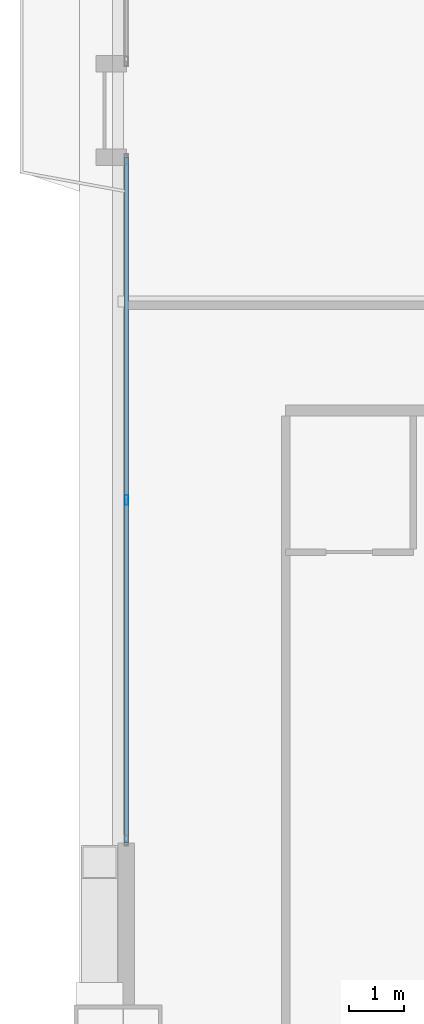
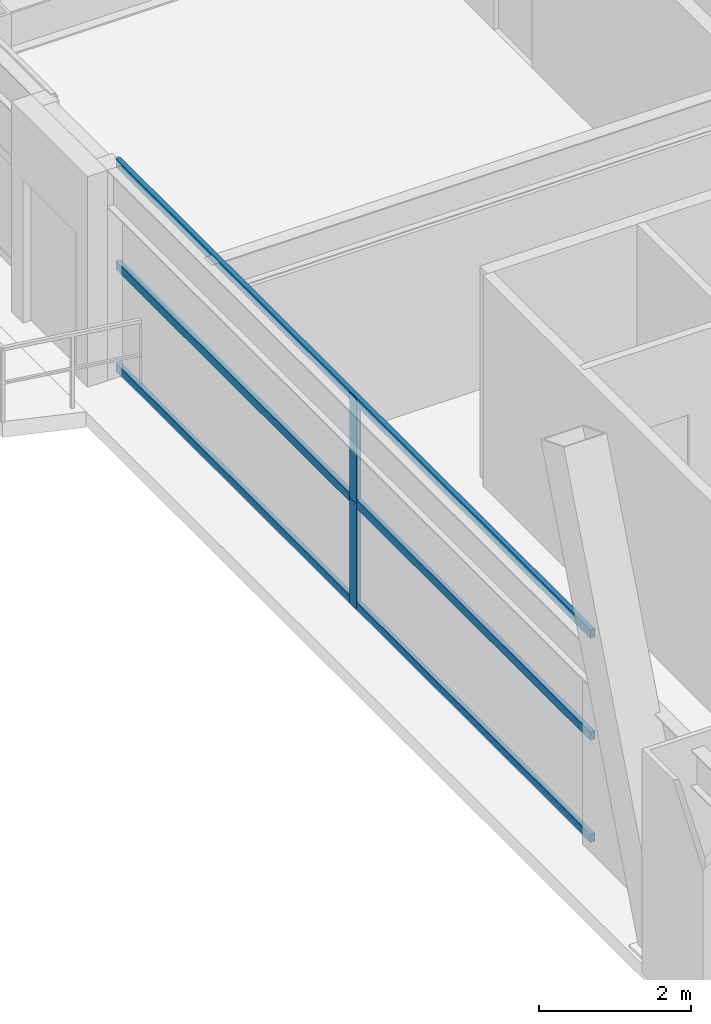
# One storey, part 7 of 41: 5 members, 1 element without a shape of its own.
"""IFC4 building model written with IfcOpenShell, lengths in metres."""

from ifc_helpers import new_model, si_unit, direction, frame, origin, origin_2d, place, context, subcontext, project, spatial, hollow_rectangle, extrude, source, transform, mapped, material, layer, layer_set, material_profile, profile_set, type_object, element, aggregate, save


model = new_model("IFC4")

# Units and contexts
model_context = context("Model", 3, precision=1e-05, world=origin(), true_north=direction((0.0, 1.0)))
body_context = subcontext(model_context, "Body", "Model", "MODEL_VIEW")
ifc_project = project(units=[si_unit("LENGTHUNIT", "METRE"), si_unit("AREAUNIT", "SQUARE_METRE"), si_unit("VOLUMEUNIT", "CUBIC_METRE"), si_unit("PLANEANGLEUNIT", "RADIAN"), si_unit("MASSUNIT", "GRAM", prefix="KILO"), si_unit("THERMODYNAMICTEMPERATUREUNIT", "KELVIN"), si_unit("POWERUNIT", "WATT")], contexts=[model_context])

# Site, building, storey
site_placement = place(None, origin())
site = spatial("IfcSite", under=ifc_project, at=site_placement, CompositionType="ELEMENT")
building_placement = place(site_placement, origin())
building = spatial("IfcBuilding", under=site, at=building_placement, Name="Yuzanri Waterfront Tower", CompositionType="ELEMENT")
storey_placement = place(building_placement, frame((0.0, 0.0, 115.39990234375)))
storey = spatial("IfcBuildingStorey", under=building, at=storey_placement, Name="L30", CompositionType="ELEMENT", Elevation=115.39990234375)

# Curtain wall, members
ifc_material_1 = material(Name="Anodized Architectural Bronze", Category="metal")
ifc_layer = layer(ifc_material_1, 0.159912109375)
ifc_layer_set = layer_set([ifc_layer], Name="Anodized Architectural Bronze")
curtain_wall_type = type_object("IfcCurtainWallType", Name="Anodized Bronze Hotel Upper-Tier Solar-Control Unitized Curtain Wall 7800", PredefinedType="NOTDEFINED", material=ifc_layer_set)
curtain_wall_placement = place(storey_placement, origin())
curtain_wall = element("IfcCurtainWall", 1, at=curtain_wall_placement, inside=storey, type_object=curtain_wall_type, Name="L30 Curtain Wall CW-L30-WL1", PredefinedType="NOTDEFINED")
ifc_material_2 = material(Name="Anodized Architectural Bronze", Category="metal")
ifc_material_profile_1 = material_profile(ifc_material_2, hollow_rectangle(XDim=0.070068359375, YDim=0.179931640625, WallThickness=0.00390625, at=origin_2d()), Name="CWM 70x180")
ifc_profile_set_1 = profile_set([ifc_material_profile_1], Name="Anodized Architectural Bronze")
member_type_1 = type_object("IfcMemberType", Name="Anodized Bronze Standard Curtain-Wall Mullion 70x180", PredefinedType="MULLION", material=ifc_profile_set_1)
shared_shape_1 = source(origin(), body_context, "Body", "SweptSolid", [
    extrude(hollow_rectangle(XDim=0.070068359375, YDim=0.179931640625, WallThickness=0.00390625, at=origin_2d()), origin(), (0.0, 0.0, 1.0), 1.68798828125),
])
member_1_placement = place(storey_placement, frame((13.550048828125, 15.78759765625, 0.0), z_axis=(0.0, 0.0, 1.0), x_axis=(1.0, 0.0, 0.0)))
member_1 = element("IfcMember", 2, at=member_1_placement, type_object=member_type_1, Name="CW-L30-WL1 Lower Mullion 01", PredefinedType="MULLION", context=body_context, shape_type="MappedRepresentation", body=[
    mapped(shared_shape_1, transform((0.0, 0.0, 0.0), scale=1.0)),
])
member_2_placement = place(storey_placement, frame((13.550048828125, 15.78759765625, 1.692138671875), z_axis=(0.0, 0.0, 1.0), x_axis=(1.0, 0.0, 0.0)))
member_2 = element("IfcMember", 3, at=member_2_placement, type_object=member_type_1, Name="CW-L30-WL1 Upper Mullion 01", PredefinedType="MULLION", context=body_context, shape_type="MappedRepresentation", body=[
    mapped(shared_shape_1, transform((0.0, 0.0, 0.0), scale=1.0)),
])
ifc_material_3 = material(Name="Anodized Architectural Bronze", Category="metal")
ifc_material_profile_2 = material_profile(ifc_material_3, hollow_rectangle(XDim=0.070068359375, YDim=0.135009765625, WallThickness=0.00341796875, at=origin_2d()), Name="CWT 70x135")
ifc_profile_set_2 = profile_set([ifc_material_profile_2], Name="Anodized Architectural Bronze")
member_type_2 = type_object("IfcMemberType", Name="Anodized Bronze Standard Curtain-Wall Transom 70x135", PredefinedType="USERDEFINED", material=ifc_profile_set_2)
shared_shape_2 = source(origin(), body_context, "Body", "SweptSolid", [
    extrude(hollow_rectangle(XDim=0.070068359375, YDim=0.135009765625, WallThickness=0.00341796875, at=origin_2d()), origin(), (0.0, 0.0, 1.0), 12.474853515625),
])
member_3_placement = place(storey_placement, frame((13.550048828125, 9.550048828125, 0.050048828125), z_axis=(0.0, 1.0, 0.0), x_axis=(-1.0, 0.0, 0.0)))
member_3 = element("IfcMember", 4, at=member_3_placement, type_object=member_type_2, Name="CW-L30-WL1 Transom 1", ObjectType="TRANSOM", PredefinedType="USERDEFINED", context=body_context, shape_type="MappedRepresentation", body=[
    mapped(shared_shape_2, transform((0.0, 0.0, 0.0), scale=1.0)),
])
member_4_placement = place(storey_placement, frame((13.550048828125, 9.550048828125, 1.690185546875), z_axis=(0.0, 1.0, 0.0), x_axis=(-1.0, 0.0, 0.0)))
member_4 = element("IfcMember", 5, at=member_4_placement, type_object=member_type_2, Name="CW-L30-WL1 Transom 2", ObjectType="TRANSOM", PredefinedType="USERDEFINED", context=body_context, shape_type="MappedRepresentation", body=[
    mapped(shared_shape_2, transform((0.0, 0.0, 0.0), scale=1.0)),
])
member_5_placement = place(storey_placement, frame((13.550048828125, 9.550048828125, 3.330078125), z_axis=(0.0, 1.0, 0.0), x_axis=(-1.0, 0.0, 0.0)))
member_5 = element("IfcMember", 6, at=member_5_placement, type_object=member_type_2, Name="CW-L30-WL1 Transom 3", ObjectType="TRANSOM", PredefinedType="USERDEFINED", context=body_context, shape_type="MappedRepresentation", body=[
    mapped(shared_shape_2, transform((0.0, 0.0, 0.0), scale=1.0)),
])
aggregate(curtain_wall, [member_1, member_2, member_3, member_4, member_5])

save(model, "model.ifc")
